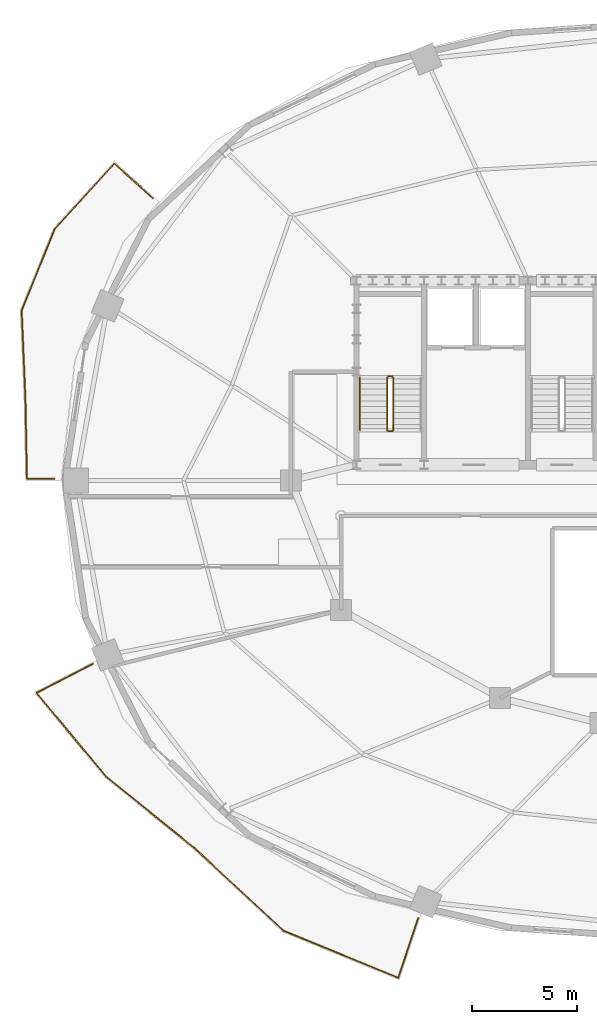
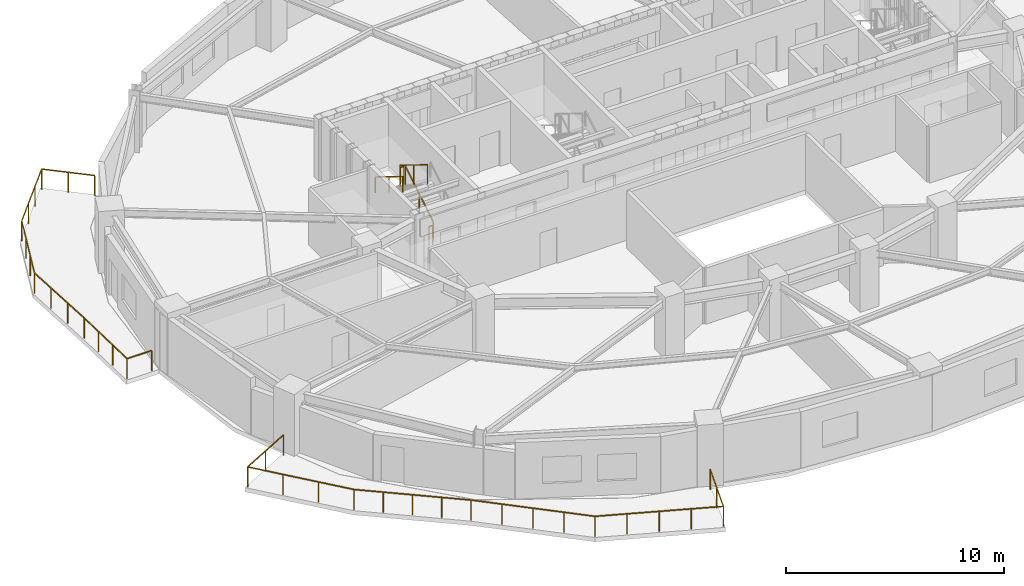
# One storey, part 7 of 11: 7 railings.
"""IFC4 building model written with IfcOpenShell, lengths in metres."""

from ifc_helpers import new_model, si_unit, direction, frame, origin, origin_2d, place, context, subcontext, project, spatial, rectangle, extrude, material, type_object, element, save


model = new_model("IFC4")

# Units and contexts
model_context = context("Model", 3, precision=1e-05, world=origin(), true_north=direction((0.0, 1.0)))
body_context = subcontext(model_context, "Body", "Model", "MODEL_VIEW")
ifc_project = project(units=[si_unit("LENGTHUNIT", "METRE"), si_unit("AREAUNIT", "SQUARE_METRE"), si_unit("VOLUMEUNIT", "CUBIC_METRE"), si_unit("PLANEANGLEUNIT", "RADIAN"), si_unit("MASSUNIT", "GRAM", prefix="KILO")], contexts=[model_context])

# Site, building, storey
site_placement = place(None, origin())
site = spatial("IfcSite", under=ifc_project, at=site_placement, CompositionType="ELEMENT")
building_placement = place(site_placement, origin())
building = spatial("IfcBuilding", under=site, at=building_placement, Name="Haldorwick Loom Tower", CompositionType="ELEMENT")
storey_placement = place(building_placement, frame((0.0, 0.0, 218.64990234375)))
storey = spatial("IfcBuildingStorey", under=building, at=storey_placement, Name="L59", CompositionType="ELEMENT", Elevation=218.64990234375)

# Railings
ifc_material_1 = material(Name="Galvanized Steel CSA G40.21 350W", Category="steel")
railing_type_1 = type_object("IfcRailingType", Name="ARC-RLG-BAL115", PredefinedType="BALUSTRADE", material=ifc_material_1)
railing_1_placement = place(storey_placement, frame((24.881591796875, 5.080322265625, 0.0)))
element("IfcRailing", 1, at=railing_1_placement, inside=storey, type_object=railing_type_1, Name="L59 Outdoor Terrace Guardrail SLB-L59-BAL_SW-1", PredefinedType="BALUSTRADE", context=body_context, shape_type="SweptSolid", body=[
    extrude(rectangle(XDim=0.048095703125, YDim=0.048095703125, at=origin_2d()), frame((0.0, 0.0, 1.1259765625), z_axis=(-0.316617322318, -0.94855335707, 0.0), x_axis=(0.94855335707, -0.316617322318, 0.0)), (0.0, 0.0, 1.0), 3.008056640625),
    extrude(rectangle(XDim=0.048095703125, YDim=0.048095703125, at=origin_2d()), frame((-0.952392578125, -2.853271484375, 1.1259765625), z_axis=(-0.925202341304, 0.379474146215, 0.0), x_axis=(-0.379474146215, -0.925202341304, 0.0)), (0.0, 0.0, 1.0), 5.93115234375),
    extrude(rectangle(XDim=0.048095703125, YDim=0.048095703125, at=origin_2d()), frame((-6.43994140625, -0.6025390625, 1.1259765625), z_axis=(-0.732602176126, 0.680657073375, 0.0), x_axis=(-0.680657073375, -0.732602176126, 0.0)), (0.0, 0.0, 1.0), 5.818603515625),
    extrude(rectangle(XDim=0.048095703125, YDim=0.048095703125, at=origin_2d()), frame((-10.70263671875, 3.35791015625, 1.1259765625), z_axis=(-0.749837855365, 0.661621637087, 0.0), x_axis=(-0.661621637087, -0.749837855365, 0.0)), (0.0, 0.0, 1.0), 0.005615234375),
    extrude(rectangle(XDim=0.048095703125, YDim=0.048095703125, at=origin_2d()), frame((-10.706787109375, 3.361572265625, 1.1259765625), z_axis=(-0.778001361857, 0.628262589169, 0.0), x_axis=(-0.628262589169, -0.778001361857, 0.0)), (0.0, 0.0, 1.0), 5.414794921875),
    extrude(rectangle(XDim=0.048095703125, YDim=0.048095703125, at=origin_2d()), frame((-14.91943359375, 6.763427734375, 1.1259765625), z_axis=(-0.63841669746, 0.769690925245, 0.0), x_axis=(-0.769690925245, -0.63841669746, 0.0)), (0.0, 0.0, 1.0), 5.1943359375),
    extrude(rectangle(XDim=0.048095703125, YDim=0.048095703125, at=origin_2d()), frame((-18.235595703125, 10.761474609375, 1.1259765625), z_axis=(0.888536997584, 0.458804973736, 0.0), x_axis=(-0.458804973736, 0.888536997584, 0.0)), (0.0, 0.0, 1.0), 3.031494140625),
    extrude(rectangle(XDim=0.0419921875, YDim=0.0419921875, at=origin_2d()), origin(), (0.0, 0.0, 1.0), 1.101806640625),
    extrude(rectangle(XDim=0.0419921875, YDim=0.0419921875, at=origin_2d()), frame((-0.47607421875, -1.4267578125, 0.0)), (0.0, 0.0, 1.0), 1.101806640625),
    extrude(rectangle(XDim=0.0419921875, YDim=0.0419921875, at=origin_2d()), frame((-0.952392578125, -2.853271484375, 0.0)), (0.0, 0.0, 1.0), 1.101806640625),
    extrude(rectangle(XDim=0.0419921875, YDim=0.0419921875, at=origin_2d()), frame((-2.32421875, -2.29052734375, 0.0)), (0.0, 0.0, 1.0), 1.101806640625),
    extrude(rectangle(XDim=0.0419921875, YDim=0.0419921875, at=origin_2d()), frame((-3.6962890625, -1.72802734375, 0.0)), (0.0, 0.0, 1.0), 1.101806640625),
    extrude(rectangle(XDim=0.0419921875, YDim=0.0419921875, at=origin_2d()), frame((-5.068115234375, -1.165283203125, 0.0)), (0.0, 0.0, 1.0), 1.101806640625),
    extrude(rectangle(XDim=0.0419921875, YDim=0.0419921875, at=origin_2d()), frame((-6.43994140625, -0.6025390625, 0.0)), (0.0, 0.0, 1.0), 1.101806640625),
    extrude(rectangle(XDim=0.0419921875, YDim=0.0419921875, at=origin_2d()), frame((-7.505615234375, 0.3876953125, 0.0)), (0.0, 0.0, 1.0), 1.101806640625),
    extrude(rectangle(XDim=0.0419921875, YDim=0.0419921875, at=origin_2d()), frame((-8.5712890625, 1.377685546875, 0.0)), (0.0, 0.0, 1.0), 1.101806640625),
    extrude(rectangle(XDim=0.0419921875, YDim=0.0419921875, at=origin_2d()), frame((-9.636962890625, 2.36767578125, 0.0)), (0.0, 0.0, 1.0), 1.101806640625),
    extrude(rectangle(XDim=0.0419921875, YDim=0.0419921875, at=origin_2d()), frame((-10.70263671875, 3.35791015625, 0.0)), (0.0, 0.0, 1.0), 1.101806640625),
    extrude(rectangle(XDim=0.0419921875, YDim=0.0419921875, at=origin_2d()), frame((-11.760009765625, 4.2119140625, 0.0)), (0.0, 0.0, 1.0), 1.101806640625),
    extrude(rectangle(XDim=0.0419921875, YDim=0.0419921875, at=origin_2d()), frame((-12.81298828125, 5.0625, 0.0)), (0.0, 0.0, 1.0), 1.101806640625),
    extrude(rectangle(XDim=0.0419921875, YDim=0.0419921875, at=origin_2d()), frame((-13.8662109375, 5.9130859375, 0.0)), (0.0, 0.0, 1.0), 1.101806640625),
    extrude(rectangle(XDim=0.0419921875, YDim=0.0419921875, at=origin_2d()), frame((-14.91943359375, 6.763427734375, 0.0)), (0.0, 0.0, 1.0), 1.101806640625),
    extrude(rectangle(XDim=0.0419921875, YDim=0.0419921875, at=origin_2d()), frame((-16.02490234375, 8.09619140625, 0.0)), (0.0, 0.0, 1.0), 1.101806640625),
    extrude(rectangle(XDim=0.0419921875, YDim=0.0419921875, at=origin_2d()), frame((-17.130126953125, 9.4287109375, 0.0)), (0.0, 0.0, 1.0), 1.101806640625),
    extrude(rectangle(XDim=0.0419921875, YDim=0.0419921875, at=origin_2d()), frame((-18.235595703125, 10.761474609375, 0.0)), (0.0, 0.0, 1.0), 1.101806640625),
    extrude(rectangle(XDim=0.0419921875, YDim=0.0419921875, at=origin_2d()), frame((-16.888671875, 11.45703125, 0.0)), (0.0, 0.0, 1.0), 1.101806640625),
    extrude(rectangle(XDim=0.0419921875, YDim=0.0419921875, at=origin_2d()), frame((-15.5419921875, 12.15234375, 0.0)), (0.0, 0.0, 1.0), 1.101806640625),
])
railing_2_placement = place(storey_placement, frame((7.490478515625, 26.080078125, 0.0)))
element("IfcRailing", 2, at=railing_2_placement, inside=storey, type_object=railing_type_1, Name="L59 Outdoor Terrace Guardrail SLB-L59-BAL_WNW-1", PredefinedType="BALUSTRADE", context=body_context, shape_type="SweptSolid", body=[
    extrude(rectangle(XDim=0.048095703125, YDim=0.048095703125, at=origin_2d()), frame((0.0, 0.0, 1.1259765625), z_axis=(-1.0, 0.0, 0.0), x_axis=(0.0, -1.0, 0.0)), (0.0, 0.0, 1.0), 1.304931640625),
    extrude(rectangle(XDim=0.048095703125, YDim=0.048095703125, at=origin_2d()), frame((-1.304931640625, 0.0, 1.1259765625), z_axis=(-0.019770692046, 0.999804540766, 0.0), x_axis=(-0.999804540766, -0.019770692046, 0.0)), (0.0, 0.0, 1.0), 3.791015625),
    extrude(rectangle(XDim=0.048095703125, YDim=0.048095703125, at=origin_2d()), frame((-1.3798828125, 3.790283203125, 1.1259765625), z_axis=(0.0, 1.0, 0.0), x_axis=(-1.0, 0.0, 0.0)), (0.0, 0.0, 1.0), 0.001708984375),
    extrude(rectangle(XDim=0.048095703125, YDim=0.048095703125, at=origin_2d()), frame((-1.3798828125, 3.7919921875, 1.1259765625), z_axis=(-0.041900694806, 0.999121780252, 0.0), x_axis=(-0.999121780252, -0.041900694806, 0.0)), (0.0, 0.0, 1.0), 4.24755859375),
    extrude(rectangle(XDim=0.048095703125, YDim=0.048095703125, at=origin_2d()), frame((-1.557861328125, 8.035888671875, 1.1259765625), z_axis=(0.375139337965, 0.926968433719, 0.0), x_axis=(-0.926968433719, 0.375139337965, 0.0)), (0.0, 0.0, 1.0), 4.20751953125),
    extrude(rectangle(XDim=0.048095703125, YDim=0.048095703125, at=origin_2d()), frame((0.0205078125, 11.93603515625, 1.1259765625), z_axis=(0.674655136973, 0.738133081603, 0.0), x_axis=(-0.738133081603, 0.674655136973, 0.0)), (0.0, 0.0, 1.0), 4.230712890625),
    extrude(rectangle(XDim=0.048095703125, YDim=0.048095703125, at=origin_2d()), frame((2.874755859375, 15.058837890625, 1.1259765625), z_axis=(0.743548464726, -0.668682047466, 0.0), x_axis=(0.668682047466, 0.743548464726, 0.0)), (0.0, 0.0, 1.0), 2.481689453125),
    extrude(rectangle(XDim=0.0419921875, YDim=0.0419921875, at=origin_2d()), origin(), (0.0, 0.0, 1.0), 1.101806640625),
    extrude(rectangle(XDim=0.0419921875, YDim=0.0419921875, at=origin_2d()), frame((-1.304931640625, 0.0, 0.0)), (0.0, 0.0, 1.0), 1.101806640625),
    extrude(rectangle(XDim=0.0419921875, YDim=0.0419921875, at=origin_2d()), frame((-1.329833984375, 1.263427734375, 0.0)), (0.0, 0.0, 1.0), 1.101806640625),
    extrude(rectangle(XDim=0.0419921875, YDim=0.0419921875, at=origin_2d()), frame((-1.35498046875, 2.52685546875, 0.0)), (0.0, 0.0, 1.0), 1.101806640625),
    extrude(rectangle(XDim=0.0419921875, YDim=0.0419921875, at=origin_2d()), frame((-1.3798828125, 3.790283203125, 0.0)), (0.0, 0.0, 1.0), 1.101806640625),
    extrude(rectangle(XDim=0.0419921875, YDim=0.0419921875, at=origin_2d()), frame((-1.439208984375, 5.20654296875, 0.0)), (0.0, 0.0, 1.0), 1.101806640625),
    extrude(rectangle(XDim=0.0419921875, YDim=0.0419921875, at=origin_2d()), frame((-1.49853515625, 6.621337890625, 0.0)), (0.0, 0.0, 1.0), 1.101806640625),
    extrude(rectangle(XDim=0.0419921875, YDim=0.0419921875, at=origin_2d()), frame((-1.557861328125, 8.035888671875, 0.0)), (0.0, 0.0, 1.0), 1.101806640625),
    extrude(rectangle(XDim=0.0419921875, YDim=0.0419921875, at=origin_2d()), frame((-1.03173828125, 9.3359375, 0.0)), (0.0, 0.0, 1.0), 1.101806640625),
    extrude(rectangle(XDim=0.0419921875, YDim=0.0419921875, at=origin_2d()), frame((-0.505615234375, 10.635986328125, 0.0)), (0.0, 0.0, 1.0), 1.101806640625),
    extrude(rectangle(XDim=0.0419921875, YDim=0.0419921875, at=origin_2d()), frame((0.0205078125, 11.93603515625, 0.0)), (0.0, 0.0, 1.0), 1.101806640625),
    extrude(rectangle(XDim=0.0419921875, YDim=0.0419921875, at=origin_2d()), frame((0.971923828125, 12.97705078125, 0.0)), (0.0, 0.0, 1.0), 1.101806640625),
    extrude(rectangle(XDim=0.0419921875, YDim=0.0419921875, at=origin_2d()), frame((1.92333984375, 14.017822265625, 0.0)), (0.0, 0.0, 1.0), 1.101806640625),
    extrude(rectangle(XDim=0.0419921875, YDim=0.0419921875, at=origin_2d()), frame((2.874755859375, 15.058837890625, 0.0)), (0.0, 0.0, 1.0), 1.101806640625),
    extrude(rectangle(XDim=0.0419921875, YDim=0.0419921875, at=origin_2d()), frame((3.79736328125, 14.22900390625, 0.0)), (0.0, 0.0, 1.0), 1.101806640625),
    extrude(rectangle(XDim=0.0419921875, YDim=0.0419921875, at=origin_2d()), frame((4.719970703125, 13.3994140625, 0.0)), (0.0, 0.0, 1.0), 1.101806640625),
])
ifc_material_2 = material(Name="Steel CSA G40.21 350W", Category="steel")
railing_type_2 = type_object("IfcRailingType", Name="ARC-RLG-GUARD112", PredefinedType="GUARDRAIL", material=ifc_material_2)
railing_3_placement = place(storey_placement, frame((23.699951171875, 28.39990234375, 0.172607421875)))
element("IfcRailing", 3, at=railing_3_placement, inside=storey, type_object=railing_type_2, Name="L59 ST-01 stair guard 1", PredefinedType="GUARDRAIL", context=body_context, shape_type="SweptSolid", body=[
    extrude(rectangle(XDim=0.048095703125, YDim=0.048095703125, at=origin_2d()), frame((0.0, 0.0, 1.076171875), z_axis=(0.0, 0.851400495292, 0.524516154772), x_axis=(-1.0, 0.0, 0.0)), (0.0, 0.0, 1.0), 2.9599609375),
    extrude(rectangle(XDim=0.0419921875, YDim=0.0419921875, at=origin_2d()), origin(), (0.0, 0.0, 1.0), 1.052001953125),
    extrude(rectangle(XDim=0.0419921875, YDim=0.0419921875, at=origin_2d()), frame((0.0, 1.260009765625, 0.7763671875)), (0.0, 0.0, 1.0), 1.052001953125),
    extrude(rectangle(XDim=0.0419921875, YDim=0.0419921875, at=origin_2d()), frame((0.0, 2.52001953125, 1.552490234375)), (0.0, 0.0, 1.0), 1.052001953125),
])
railing_4_placement = place(storey_placement, frame((23.64990234375, 30.969970703125, 1.72509765625)))
element("IfcRailing", 4, at=railing_4_placement, inside=storey, type_object=railing_type_2, Name="L59 ST-01 stair guard 2", PredefinedType="GUARDRAIL", context=body_context, shape_type="SweptSolid", body=[
    extrude(rectangle(XDim=0.048095703125, YDim=0.048095703125, at=origin_2d()), frame((0.0, 0.0, 1.076171875), z_axis=(-1.0, 0.0, 0.0), x_axis=(0.0, -1.0, 0.0)), (0.0, 0.0, 1.0), 0.199951171875),
    extrude(rectangle(XDim=0.0419921875, YDim=0.0419921875, at=origin_2d()), origin(), (0.0, 0.0, 1.0), 1.052001953125),
    extrude(rectangle(XDim=0.0419921875, YDim=0.0419921875, at=origin_2d()), frame((-0.199951171875, 0.0, 0.0)), (0.0, 0.0, 1.0), 1.052001953125),
])
railing_5_placement = place(storey_placement, frame((23.39990234375, 30.919921875, 1.897705078125)))
element("IfcRailing", 5, at=railing_5_placement, inside=storey, type_object=railing_type_2, Name="L59 ST-01 stair guard 3", PredefinedType="GUARDRAIL", context=body_context, shape_type="SweptSolid", body=[
    extrude(rectangle(XDim=0.048095703125, YDim=0.048095703125, at=origin_2d()), frame((0.0, 0.0, 1.076171875), z_axis=(0.0, -0.851400495292, 0.524516154772), x_axis=(1.0, 0.0, 0.0)), (0.0, 0.0, 1.0), 2.9599609375),
    extrude(rectangle(XDim=0.0419921875, YDim=0.0419921875, at=origin_2d()), origin(), (0.0, 0.0, 1.0), 1.052001953125),
    extrude(rectangle(XDim=0.0419921875, YDim=0.0419921875, at=origin_2d()), frame((0.0, -1.260009765625, 0.7763671875)), (0.0, 0.0, 1.0), 1.052001953125),
    extrude(rectangle(XDim=0.0419921875, YDim=0.0419921875, at=origin_2d()), frame((0.0, -2.52001953125, 1.552490234375)), (0.0, 0.0, 1.0), 1.052001953125),
])
railing_6_placement = place(storey_placement, frame((23.64990234375, 28.35009765625, 0.0)))
element("IfcRailing", 6, at=railing_6_placement, inside=storey, type_object=railing_type_2, Name="L59 ST-01 stair guard 4", PredefinedType="GUARDRAIL", context=body_context, shape_type="SweptSolid", body=[
    extrude(rectangle(XDim=0.048095703125, YDim=0.048095703125, at=origin_2d()), frame((0.0, 0.0, 1.076171875), z_axis=(-1.0, 0.0, 0.0), x_axis=(0.0, -1.0, 0.0)), (0.0, 0.0, 1.0), 0.199951171875),
    extrude(rectangle(XDim=0.0419921875, YDim=0.0419921875, at=origin_2d()), origin(), (0.0, 0.0, 1.0), 1.052001953125),
    extrude(rectangle(XDim=0.0419921875, YDim=0.0419921875, at=origin_2d()), frame((-0.199951171875, 0.0, 0.0)), (0.0, 0.0, 1.0), 1.052001953125),
])
railing_type_3 = type_object("IfcRailingType", Name="ARC-RLG-HAND092", PredefinedType="HANDRAIL", material=ifc_material_2)
railing_7_placement = place(storey_placement, frame((22.10009765625, 30.919921875, 1.897705078125)))
element("IfcRailing", 7, at=railing_7_placement, inside=storey, type_object=railing_type_3, Name="L59 ST-01 stair handrail 2", PredefinedType="HANDRAIL", context=body_context, shape_type="SweptSolid", body=[
    extrude(rectangle(XDim=0.048095703125, YDim=0.048095703125, at=origin_2d()), frame((0.0, 0.0, 0.8759765625), z_axis=(0.0, -0.851400495292, 0.524516154772), x_axis=(1.0, 0.0, 0.0)), (0.0, 0.0, 1.0), 2.9599609375),
    extrude(rectangle(XDim=0.0419921875, YDim=0.0419921875, at=origin_2d()), origin(), (0.0, 0.0, 1.0), 0.851806640625),
    extrude(rectangle(XDim=0.0419921875, YDim=0.0419921875, at=origin_2d()), frame((0.0, -1.260009765625, 0.7763671875)), (0.0, 0.0, 1.0), 0.851806640625),
    extrude(rectangle(XDim=0.0419921875, YDim=0.0419921875, at=origin_2d()), frame((0.0, -2.52001953125, 1.552490234375)), (0.0, 0.0, 1.0), 0.851806640625),
])

save(model, "model.ifc")
